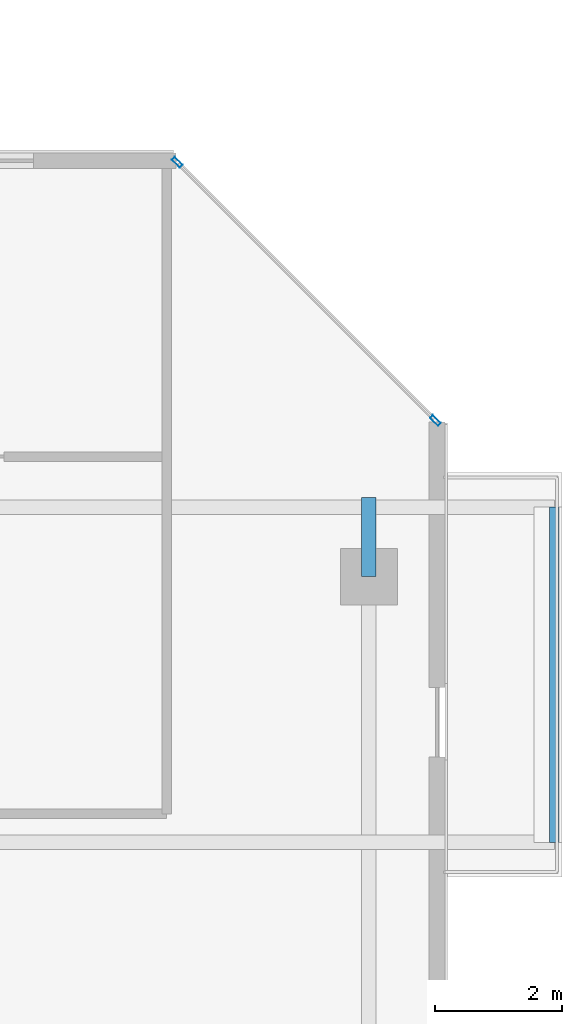
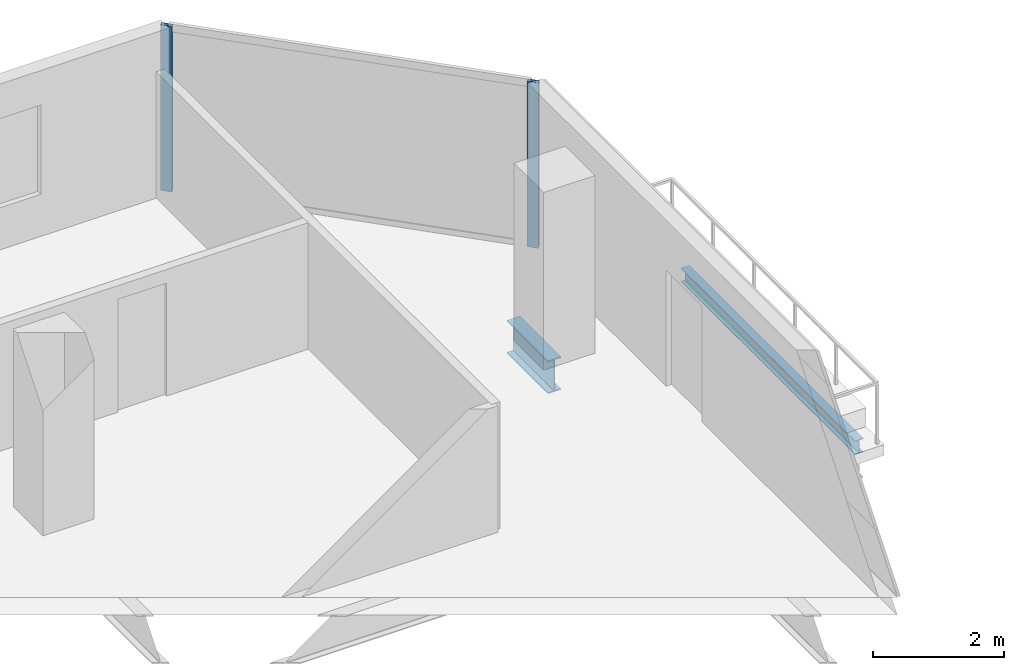
# One storey, part 17 of 29: 2 beams, 2 members, 1 element without a shape of its own.
"""IFC4 building model written with IfcOpenShell, lengths in metres."""

from ifc_helpers import new_model, si_unit, direction, frame, origin, origin_2d, place, context, subcontext, project, spatial, hollow_rectangle, i_section, extrude, material, layer, layer_set, material_profile, profile_set, type_object, element, aggregate, save


model = new_model("IFC4")

# Units and contexts
model_context = context("Model", 3, precision=1e-05, world=origin(), true_north=direction((0.0, 1.0)))
body_context = subcontext(model_context, "Body", "Model", "MODEL_VIEW")
ifc_project = project(units=[si_unit("LENGTHUNIT", "METRE"), si_unit("AREAUNIT", "SQUARE_METRE"), si_unit("VOLUMEUNIT", "CUBIC_METRE"), si_unit("PLANEANGLEUNIT", "RADIAN"), si_unit("MASSUNIT", "GRAM", prefix="KILO")], contexts=[model_context])

# Site, building, storey
site_placement = place(None, origin())
site = spatial("IfcSite", under=ifc_project, at=site_placement, CompositionType="ELEMENT")
building_placement = place(site_placement, origin())
building = spatial("IfcBuilding", under=site, at=building_placement, Name="Tanjung Sevakor Pilgrim Tower", CompositionType="ELEMENT")
storey_placement = place(building_placement, frame((0.0, 0.0, 151.800048828125)))
storey = spatial("IfcBuildingStorey", under=building, at=storey_placement, Name="L42", CompositionType="ELEMENT", Elevation=151.800048828125)

# Beams
ifc_material_1 = material(Name="Steel S355J2", Category="steel")
ifc_material_profile_1 = material_profile(ifc_material_1, i_section(OverallWidth=0.22900390625, OverallDepth=0.6123046875, WebThickness=0.011962890625, FlangeThickness=0.01953125, FilletRadius=0.0126953125, at=origin_2d()))
ifc_profile_set_1 = profile_set([ifc_material_profile_1], Name="Steel S355J2")
beam_type_1 = type_object("IfcBeamType", Name="BM-B-G4-UB_610x229x125", PredefinedType="BEAM", material=ifc_profile_set_1)
beam_1_placement = place(storey_placement, frame((98.800048828125, 48.60009765625, -0.526123046875), z_axis=(0.0, 1.0, 0.0), x_axis=(-1.0, 0.0, 0.0)))
element("IfcBeam", 1, at=beam_1_placement, inside=storey, type_object=beam_type_1, Name="L42 Short-End Edge Extension N-E", PredefinedType="BEAM", context=body_context, shape_type="SweptSolid", body=[
    extrude(i_section(OverallWidth=0.22900390625, OverallDepth=0.6123046875, WebThickness=0.011962890625, FlangeThickness=0.01953125, FilletRadius=0.0126953125, at=origin_2d()), origin(), (0.0, 0.0, 1.0), 1.25),
])
ifc_material_2 = material(Name="Steel S355J2", Category="steel")
ifc_material_profile_2 = material_profile(ifc_material_2, i_section(OverallWidth=0.146484375, OverallDepth=0.256103515625, WebThickness=0.00634765625, FlangeThickness=0.010986328125, FilletRadius=0.007568359375, at=origin_2d()))
ifc_profile_set_2 = profile_set([ifc_material_profile_2], Name="Steel S355J2")
beam_type_2 = type_object("IfcBeamType", Name="BM-B-J6-UB_254x146x37", PredefinedType="JOIST", material=ifc_profile_set_2)
beam_2_placement = place(storey_placement, frame((101.72998046875, 44.39990234375, -0.328125), z_axis=(0.0, 1.0, 0.0), x_axis=(-1.0, 0.0, 0.0)))
element("IfcBeam", 2, at=beam_2_placement, inside=storey, type_object=beam_type_2, Name="L42 Balcony Rim Tie MAIN-E1", PredefinedType="JOIST", context=body_context, shape_type="SweptSolid", body=[
    extrude(i_section(OverallWidth=0.146484375, OverallDepth=0.256103515625, WebThickness=0.00634765625, FlangeThickness=0.010986328125, FilletRadius=0.007568359375, at=origin_2d()), origin(), (0.0, 0.0, 1.0), 5.300048828125),
])

# Curtain wall, members
ifc_material_3 = material(Name="Aluminium 6063-T6 and Low-E Glass", Category="aluminium")
ifc_layer = layer(ifc_material_3, 0.179931640625)
ifc_layer_set = layer_set([ifc_layer], Name="CW-SYS-CHAM")
curtain_wall_type = type_object("IfcCurtainWallType", Name="CW-SYS-CHAM", PredefinedType="NOTDEFINED", material=ifc_layer_set)
curtain_wall_placement = place(storey_placement, origin())
curtain_wall = element("IfcCurtainWall", 3, at=curtain_wall_placement, inside=storey, type_object=curtain_wall_type, Name="L42 Curtain Wall CW-CHM-L42-MAIN-7", PredefinedType="NOTDEFINED")
ifc_material_4 = material(Name="Aluminium 6063-T6", Category="aluminium")
ifc_material_profile_3 = material_profile(ifc_material_4, hollow_rectangle(XDim=0.06494140625, YDim=0.179931640625, WallThickness=0.00390625, at=origin_2d()))
ifc_profile_set_3 = profile_set([ifc_material_profile_3], Name="Aluminium 6063-T6")
member_type = type_object("IfcMemberType", Name="TYPE-CWM-1", PredefinedType="MULLION", material=ifc_profile_set_3)
member_1_placement = place(storey_placement, frame((99.85205078125, 51.0712890625, 0.0), z_axis=(0.0, 0.0, 1.0), x_axis=(-0.707106781187, -0.707106781187, 0.0)))
member_1 = element("IfcMember", 4, at=member_1_placement, type_object=member_type, Name="CW-CHM mullion 1", PredefinedType="MULLION", context=body_context, shape_type="SweptSolid", body=[
    extrude(hollow_rectangle(XDim=0.06494140625, YDim=0.179931640625, WallThickness=0.00390625, at=origin_2d()), origin(), (0.0, 0.0, 1.0), 3.079833984375),
])
member_2_placement = place(storey_placement, frame((95.771240234375, 55.152099609375, 0.0), z_axis=(0.0, 0.0, 1.0), x_axis=(-0.707106781187, -0.707106781187, 0.0)))
member_2 = element("IfcMember", 5, at=member_2_placement, type_object=member_type, Name="CW-CHM mullion 2", PredefinedType="MULLION", context=body_context, shape_type="SweptSolid", body=[
    extrude(hollow_rectangle(XDim=0.06494140625, YDim=0.179931640625, WallThickness=0.00390625, at=origin_2d()), origin(), (0.0, 0.0, 1.0), 3.079833984375),
])
aggregate(curtain_wall, [member_1, member_2])

save(model, "model.ifc")
